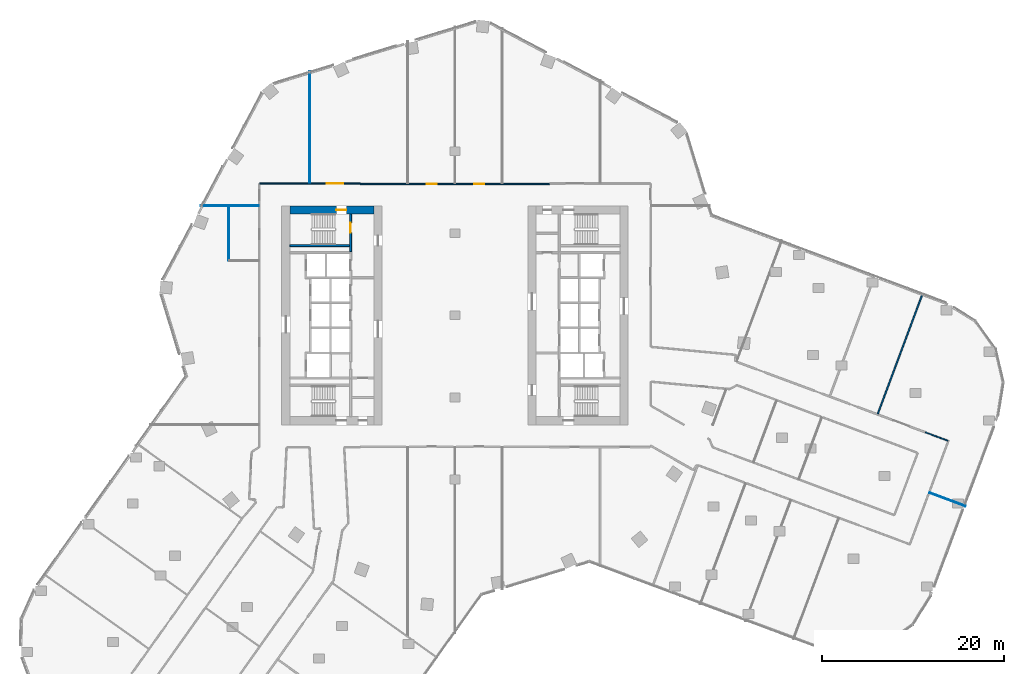
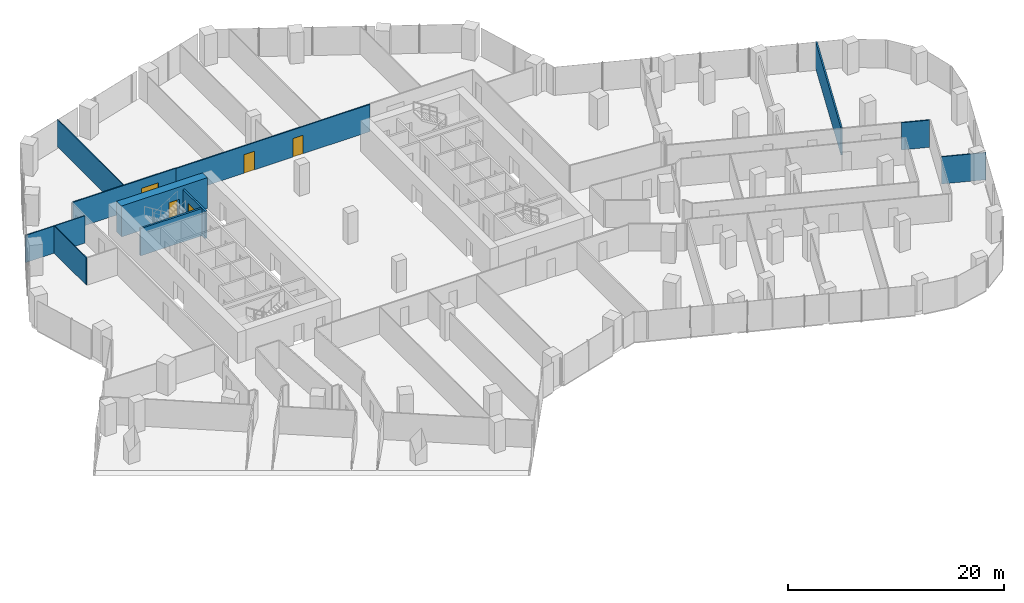
# One storey, part 27 of 31: 11 walls, 5 doors, 5 openings.
"""IFC4 building model written with IfcOpenShell, lengths in metres."""

from ifc_helpers import new_model, si_unit, direction, frame, frame_2d, origin, place, context, subcontext, project, spatial, rectangle, extrude, material, layer, layer_set, type_object, element, fill, save


model = new_model("IFC4")

# Units and contexts
model_context = context("Model", 3, precision=1e-05, world=origin(), true_north=direction((0.0, 1.0)))
body_context = subcontext(model_context, "Body", "Model", "MODEL_VIEW")
ifc_project = project(units=[si_unit("LENGTHUNIT", "METRE"), si_unit("AREAUNIT", "SQUARE_METRE"), si_unit("VOLUMEUNIT", "CUBIC_METRE"), si_unit("PLANEANGLEUNIT", "RADIAN"), si_unit("MASSUNIT", "GRAM", prefix="KILO")], contexts=[model_context])

# Site, building, storey
site_placement = place(None, origin())
site = spatial("IfcSite", under=ifc_project, at=site_placement, CompositionType="ELEMENT")
building_placement = place(site_placement, origin())
building = spatial("IfcBuilding", under=site, at=building_placement, Name="Orlundy Tower", CompositionType="ELEMENT")
storey_placement = place(building_placement, frame((0.0, 0.0, 87.699951171875)))
storey = spatial("IfcBuildingStorey", under=building, at=storey_placement, Name="L21", CompositionType="ELEMENT", Elevation=87.699951171875)

# Wall, opening, door
ifc_material_1 = material(Name="Concrete C80/95", Category="concrete")
ifc_layer_1 = layer(ifc_material_1, 0.89990234375)
ifc_layer_set_1 = layer_set([ifc_layer_1], Name="CORE WALL 900 C80/95")
wall_type_1 = type_object("IfcWallType", Name="CORE WALL 900 C80/95", PredefinedType="SHEAR", material=ifc_layer_set_1)
wall_1_placement = place(storey_placement, frame((-18.10009765625, 11.550048828125, 0.0), z_axis=(0.0, 0.0, 1.0), x_axis=(1.0, 0.0, 0.0)))
wall_1 = element("IfcWall", 1, at=wall_1_placement, inside=storey, type_object=wall_type_1, Name="Core wall W-N L21", PredefinedType="SHEAR", context=body_context, shape_type="SweptSolid", body=[
    extrude(rectangle(XDim=9.2001953125, YDim=0.89990234375, at=frame_2d((4.60009765625, 0.0))), origin(), (0.0, 0.0, 1.0), 3.5),
])
opening_1_placement = place(wall_1_placement, frame((5.10009765625, 0.0, 0.0)))
opening_1 = element("IfcOpeningElement", 2, at=opening_1_placement, cuts=wall_1, Name="Opening 17012", PredefinedType="OPENING", context=body_context, shape_type="SweptSolid", body=[
    extrude(rectangle(XDim=1.10009765625, YDim=2.10009765625, at=frame_2d((0.550048828125, 1.050048828125))), frame((0.0, 0.4599609375, 0.0), z_axis=(0.0, -1.0, 0.0), x_axis=(1.0, 0.0, 0.0)), (0.0, 0.0, 1.0), 0.919921875),
])
ifc_material_2 = material(Name="Steel door set", Category="steel")
door_type_1 = type_object("IfcDoorType", Name="Stair Door 1100x2100", OperationType="SINGLE_SWING_LEFT", PredefinedType="DOOR", material=ifc_material_2)
door_1_placement = place(opening_1_placement, origin())
door_1 = element("IfcDoor", 3, at=door_1_placement, inside=storey, type_object=door_type_1, Name="Stair door 17012", OperationType="SINGLE_SWING_RIGHT", OverallHeight=2.10009765625, OverallWidth=1.10009765625, PredefinedType="DOOR", context=body_context, shape_type="SweptSolid", body=[
    extrude(rectangle(XDim=1.10009765625, YDim=2.10009765625, at=frame_2d((0.550048828125, 1.050048828125))), frame((0.0, 0.02490234375, 0.0), z_axis=(0.0, -1.0, 0.0), x_axis=(1.0, 0.0, 0.0)), (0.0, 0.0, 1.0), 0.050048828125),
])
fill(opening_1, door_1)

# Walls
ifc_material_3 = material(Name="Gypsum board partition")
ifc_layer_2 = layer(ifc_material_3, 0.10009765625)
ifc_layer_set_2 = layer_set([ifc_layer_2], Name="Floor partition 100")
wall_type_2 = type_object("IfcWallType", Name="Floor partition 100", PredefinedType="PARTITIONING", material=ifc_layer_set_2)
wall_2_placement = place(storey_placement, frame((52.044921875, -19.4580078125, 0.0), z_axis=(0.0, 0.0, 1.0), x_axis=(0.936700060605, -0.350132826886, 0.0)))
element("IfcWall", 4, at=wall_2_placement, inside=storey, type_object=wall_type_2, Name="wall-int-L21-021", PredefinedType="PARTITIONING", context=body_context, shape_type="SweptSolid", body=[
    extrude(rectangle(XDim=4.187255859375, YDim=0.10009765625, at=frame_2d((2.09375, 0.0))), origin(), (0.0, 0.0, 1.0), 3.080078125),
])
wall_3_placement = place(storey_placement, frame((-27.87890625, 12.0, 0.0), z_axis=(0.0, 0.0, 1.0), x_axis=(1.0, 0.0, 0.0)))
element("IfcWall", 5, at=wall_3_placement, inside=storey, type_object=wall_type_2, Name="wall-int-L21-037", PredefinedType="PARTITIONING", context=body_context, shape_type="SweptSolid", body=[
    extrude(rectangle(XDim=6.366943359375, YDim=0.10009765625, at=frame_2d((3.18359375, 0.0))), origin(), (0.0, 0.0, 1.0), 3.080078125),
])
wall_4_placement = place(storey_placement, frame((-15.919921875, 14.513916015625, 0.0), z_axis=(0.0, 0.0, 1.0), x_axis=(0.0, 1.0, 0.0)))
element("IfcWall", 6, at=wall_4_placement, inside=storey, type_object=wall_type_2, Name="wall-int-L21-087", PredefinedType="PARTITIONING", context=body_context, shape_type="SweptSolid", body=[
    extrude(rectangle(XDim=12.2509765625, YDim=0.10009765625, at=frame_2d((6.12548828125, 0.0))), origin(), (0.0, 0.0, 1.0), 3.080078125),
])
wall_5_placement = place(storey_placement, frame((-24.781982421875, 6.0009765625, 0.0), z_axis=(0.0, 0.0, 1.0), x_axis=(0.0, 1.0, 0.0)))
element("IfcWall", 7, at=wall_5_placement, inside=storey, type_object=wall_type_2, Name="wall-int-L21-089", PredefinedType="PARTITIONING", context=body_context, shape_type="SweptSolid", body=[
    extrude(rectangle(XDim=5.948974609375, YDim=0.10009765625, at=frame_2d((2.974609375, 0.0))), origin(), (0.0, 0.0, 1.0), 3.080078125),
])
ifc_material_4 = material(Name="Gypsum board partition, double layer")
ifc_layer_3 = layer(ifc_material_4, 0.125)
ifc_layer_set_3 = layer_set([ifc_layer_3], Name="Floor partition 125")
wall_type_3 = type_object("IfcWallType", Name="Floor partition 125", PredefinedType="PARTITIONING", material=ifc_layer_set_3)
wall_6_placement = place(storey_placement, frame((54.044921875, -13.7470703125, 0.0), z_axis=(0.0, 0.0, 1.0), x_axis=(-0.936644465202, 0.350281523643, 0.0)))
element("IfcWall", 8, at=wall_6_placement, inside=storey, type_object=wall_type_3, Name="wall-int-L21-024", PredefinedType="PARTITIONING", context=body_context, shape_type="SweptSolid", body=[
    extrude(rectangle(XDim=2.63818359375, YDim=0.125, at=frame_2d((1.319091796875, 0.0))), origin(), (0.0, 0.0, 1.0), 3.080078125),
])

# Wall, openings, doors
wall_7_placement = place(storey_placement, frame((-10.389892578125, 14.40087890625, 0.0), z_axis=(0.0, 0.0, 1.0), x_axis=(1.0, 0.0, 0.0)))
wall_7 = element("IfcWall", 9, at=wall_7_placement, inside=storey, type_object=wall_type_3, Name="wall-int-L21-039", PredefinedType="PARTITIONING", context=body_context, shape_type="SweptSolid", body=[
    extrude(rectangle(XDim=20.781005859375, YDim=0.125, at=frame_2d((10.390625, 0.0))), origin(), (0.0, 0.0, 1.0), 3.080078125),
])
opening_2_placement = place(wall_7_placement, frame((12.489990234375, 0.0, 0.0)))
opening_2 = element("IfcOpeningElement", 10, at=opening_2_placement, cuts=wall_7, Name="Opening 17134", PredefinedType="OPENING", context=body_context, shape_type="SweptSolid", body=[
    extrude(rectangle(XDim=1.10009765625, YDim=2.10009765625, at=frame_2d((0.550048828125, 1.050048828125))), frame((0.0, 0.072509765625, 0.0), z_axis=(0.0, -1.0, 0.0), x_axis=(1.0, 0.0, 0.0)), (0.0, 0.0, 1.0), 0.14501953125),
])
opening_3_placement = place(wall_7_placement, frame((7.294921875, 0.0, 0.0)))
opening_3 = element("IfcOpeningElement", 11, at=opening_3_placement, cuts=wall_7, Name="Opening 17135", PredefinedType="OPENING", context=body_context, shape_type="SweptSolid", body=[
    extrude(rectangle(XDim=1.10009765625, YDim=2.10009765625, at=frame_2d((0.550048828125, 1.050048828125))), frame((0.0, 0.072509765625, 0.0), z_axis=(0.0, -1.0, 0.0), x_axis=(1.0, 0.0, 0.0)), (0.0, 0.0, 1.0), 0.14501953125),
])
ifc_material_5 = material(Name="Timber door leaf", Category="wood")
door_type_2 = type_object("IfcDoorType", Name="Floor door xwide 1100 FD30S", OperationType="NOTDEFINED", PredefinedType="DOOR", material=ifc_material_5)
door_2_placement = place(opening_2_placement, origin())
door_2 = element("IfcDoor", 12, at=door_2_placement, inside=storey, type_object=door_type_2, Name="Door 17134", OperationType="SINGLE_SWING_RIGHT", OverallHeight=2.10009765625, OverallWidth=1.10009765625, PredefinedType="DOOR", context=body_context, shape_type="SweptSolid", body=[
    extrude(rectangle(XDim=1.10009765625, YDim=2.10009765625, at=frame_2d((0.550048828125, 1.050048828125))), frame((0.0, 0.02490234375, 0.0), z_axis=(0.0, -1.0, 0.0), x_axis=(1.0, 0.0, 0.0)), (0.0, 0.0, 1.0), 0.050048828125),
])
fill(opening_2, door_2)
door_3_placement = place(opening_3_placement, origin())
door_3 = element("IfcDoor", 13, at=door_3_placement, inside=storey, type_object=door_type_2, Name="Door 17135", OperationType="SINGLE_SWING_LEFT", OverallHeight=2.10009765625, OverallWidth=1.10009765625, PredefinedType="DOOR", context=body_context, shape_type="SweptSolid", body=[
    extrude(rectangle(XDim=1.10009765625, YDim=2.10009765625, at=frame_2d((0.550048828125, 1.050048828125))), frame((0.0, 0.02490234375, 0.0), z_axis=(0.0, -1.0, 0.0), x_axis=(1.0, 0.0, 0.0)), (0.0, 0.0, 1.0), 0.050048828125),
])
fill(opening_3, door_3)

# Wall, opening, door
wall_8_placement = place(storey_placement, frame((-21.386962890625, 14.450927734375, 0.0), z_axis=(0.0, 0.0, 1.0), x_axis=(1.0, 0.0, 0.0)))
wall_8 = element("IfcWall", 14, at=wall_8_placement, inside=storey, type_object=wall_type_3, Name="wall-int-L21-040", PredefinedType="PARTITIONING", context=body_context, shape_type="SweptSolid", body=[
    extrude(rectangle(XDim=10.995849609375, YDim=0.125, at=frame_2d((5.498046875, 0.0))), origin(), (0.0, 0.0, 1.0), 3.080078125),
])
opening_4_placement = place(wall_8_placement, frame((7.3173828125, 0.0, 0.0)))
opening_4 = element("IfcOpeningElement", 15, at=opening_4_placement, cuts=wall_8, Name="Opening 17136", PredefinedType="OPENING", context=body_context, shape_type="SweptSolid", body=[
    extrude(rectangle(XDim=1.800048828125, YDim=2.10009765625, at=frame_2d((0.89990234375, 1.050048828125))), frame((0.0, 0.072509765625, 0.0), z_axis=(0.0, -1.0, 0.0), x_axis=(1.0, 0.0, 0.0)), (0.0, 0.0, 1.0), 0.14501953125),
])
ifc_material_6 = material(Name="Timber door leaf", Category="wood")
door_type_3 = type_object("IfcDoorType", Name="Floor door double 1800 FD30S", OperationType="NOTDEFINED", PredefinedType="DOOR", material=ifc_material_6)
door_4_placement = place(opening_4_placement, origin())
door_4 = element("IfcDoor", 16, at=door_4_placement, inside=storey, type_object=door_type_3, Name="Door 17136", OperationType="DOUBLE_DOOR_SINGLE_SWING", OverallHeight=2.10009765625, OverallWidth=1.800048828125, PredefinedType="DOOR", context=body_context, shape_type="SweptSolid", body=[
    extrude(rectangle(XDim=1.800048828125, YDim=2.10009765625, at=frame_2d((0.89990234375, 1.050048828125))), frame((0.0, 0.02490234375, 0.0), z_axis=(0.0, -1.0, 0.0), x_axis=(1.0, 0.0, 0.0)), (0.0, 0.0, 1.0), 0.050048828125),
])
fill(opening_4, door_4)

# Wall
ifc_material_7 = material(Name="Blockwork shaft wall", Category="masonry")
ifc_layer_4 = layer(ifc_material_7, 0.14990234375)
ifc_layer_set_4 = layer_set([ifc_layer_4], Name="Floor shaft wall 150")
wall_type_4 = type_object("IfcWallType", Name="Floor shaft wall 150", PredefinedType="PARTITIONING", material=ifc_layer_set_4)
wall_9_placement = place(storey_placement, frame((46.35595703125, -10.7919921875, 0.0), z_axis=(0.0, 0.0, 1.0), x_axis=(0.350240580202, 0.936659776002, 0.0)))
element("IfcWall", 17, at=wall_9_placement, inside=storey, type_object=wall_type_4, Name="wall-int-L21-061", PredefinedType="PARTITIONING", context=body_context, shape_type="SweptSolid", body=[
    extrude(rectangle(XDim=14.124755859375, YDim=0.14990234375, at=frame_2d((7.0625, 0.0))), origin(), (0.0, 0.0, 1.0), 3.080078125),
])

# Wall, opening, door
ifc_material_8 = material(Name="Concrete C40/50", Category="concrete")
ifc_layer_5 = layer(ifc_material_8, 0.199951171875)
ifc_layer_set_5 = layer_set([ifc_layer_5], Name="Load-bearing Shaft Wall 200")
wall_type_5 = type_object("IfcWallType", Name="Load-bearing Shaft Wall 200", PredefinedType="SOLIDWALL", material=ifc_layer_set_5)
wall_10_placement = place(storey_placement, frame((-11.43994140625, 6.97509765625, 0.0), z_axis=(0.0, 0.0, 1.0), x_axis=(0.0, 1.0, 0.0)))
wall_10 = element("IfcWall", 18, at=wall_10_placement, inside=storey, type_object=wall_type_5, Name="Shaft wall W17-stair-end-n", PredefinedType="SOLIDWALL", context=body_context, shape_type="SweptSolid", body=[
    extrude(rectangle(XDim=4.125, YDim=0.199951171875, at=frame_2d((2.0625, 0.0))), origin(), (0.0, 0.0, 1.0), 3.090087890625),
])
opening_5_placement = place(wall_10_placement, frame((2.10009765625, 0.0, 0.0)))
opening_5 = element("IfcOpeningElement", 19, at=opening_5_placement, cuts=wall_10, Name="Opening 17014", PredefinedType="OPENING", context=body_context, shape_type="SweptSolid", body=[
    extrude(rectangle(XDim=1.10009765625, YDim=2.10009765625, at=frame_2d((0.550048828125, 1.050048828125))), frame((0.0, 0.110107421875, 0.0), z_axis=(0.0, -1.0, 0.0), x_axis=(1.0, 0.0, 0.0)), (0.0, 0.0, 1.0), 0.22021484375),
])
ifc_material_9 = material(Name="Steel door set", Category="steel")
door_type_4 = type_object("IfcDoorType", Name="Fire-fighting Lobby Door 1100x2100", OperationType="SINGLE_SWING_LEFT", PredefinedType="DOOR", material=ifc_material_9)
door_5_placement = place(opening_5_placement, origin())
door_5 = element("IfcDoor", 20, at=door_5_placement, inside=storey, type_object=door_type_4, Name="Fire-fighting lobby to stair door 17014", OperationType="SINGLE_SWING_RIGHT", OverallHeight=2.10009765625, OverallWidth=1.10009765625, PredefinedType="DOOR", context=body_context, shape_type="SweptSolid", body=[
    extrude(rectangle(XDim=1.10009765625, YDim=2.10009765625, at=frame_2d((0.550048828125, 1.050048828125))), frame((0.0, 0.02490234375, 0.0), z_axis=(0.0, -1.0, 0.0), x_axis=(1.0, 0.0, 0.0)), (0.0, 0.0, 1.0), 0.050048828125),
])
fill(opening_5, door_5)

# Wall
wall_11_placement = place(storey_placement, frame((-11.5400390625, 7.64990234375, 0.0), z_axis=(0.0, 0.0, 1.0), x_axis=(-1.0, 0.0, 0.0)))
element("IfcWall", 21, at=wall_11_placement, inside=storey, type_object=wall_type_5, Name="Shaft wall W17-stair-side-n", PredefinedType="SOLIDWALL", context=body_context, shape_type="SweptSolid", body=[
    extrude(rectangle(XDim=6.56005859375, YDim=0.199951171875, at=frame_2d((3.280029296875, 0.0))), origin(), (0.0, 0.0, 1.0), 3.090087890625),
])

save(model, "model.ifc")
